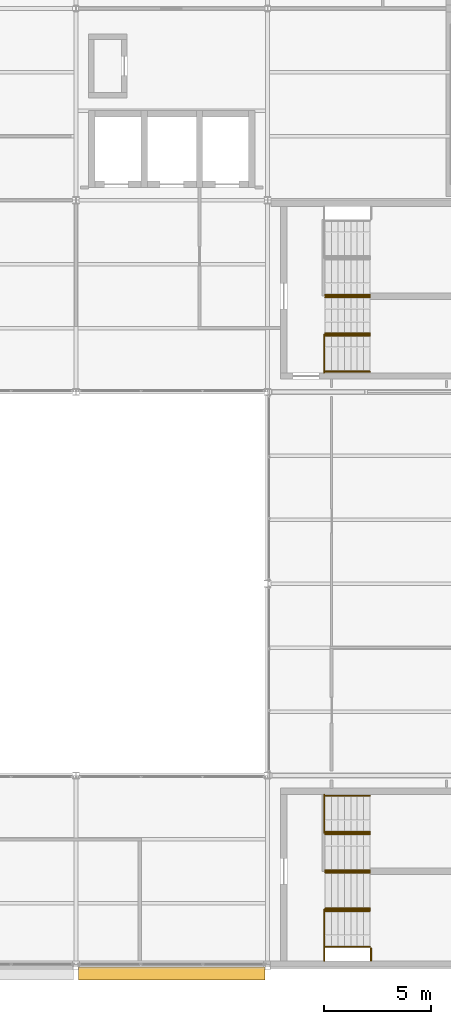
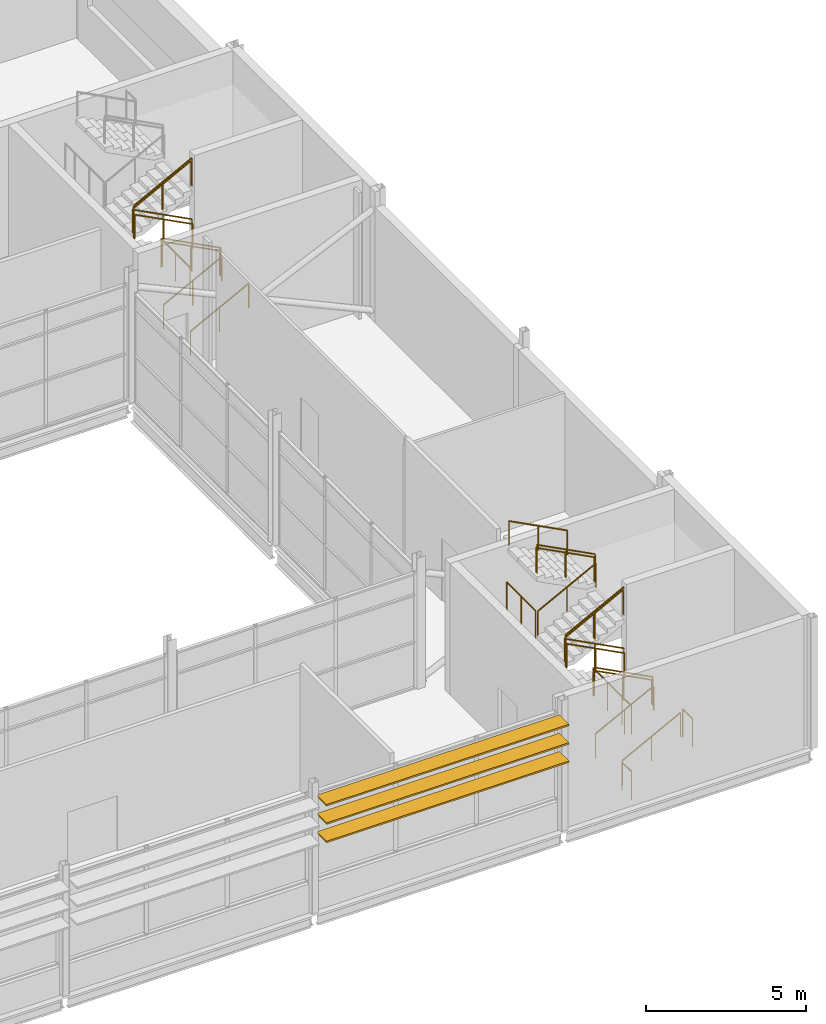
# One storey, part 60 of 61: 26 railings, 3 shading devices.
"""IFC4 building model written with IfcOpenShell, lengths in metres."""

from ifc_helpers import new_model, si_unit, direction, frame, origin, origin_2d, place, context, subcontext, project, spatial, rectangle, circle, extrude, material, layer, layer_set, type_object, element, save


model = new_model("IFC4")

# Units and contexts
model_context = context("Model", 3, precision=1e-05, world=origin(), true_north=direction((0.0, 1.0)))
body_context = subcontext(model_context, "Body", "Model", "MODEL_VIEW")
ifc_project = project(units=[si_unit("LENGTHUNIT", "METRE"), si_unit("AREAUNIT", "SQUARE_METRE"), si_unit("VOLUMEUNIT", "CUBIC_METRE"), si_unit("PLANEANGLEUNIT", "RADIAN"), si_unit("MASSUNIT", "GRAM", prefix="KILO")], contexts=[model_context])

# Site, building, storey
site_placement = place(None, origin())
site = spatial("IfcSite", under=ifc_project, at=site_placement, CompositionType="ELEMENT")
building_placement = place(site_placement, origin())
building = spatial("IfcBuilding", under=site, at=building_placement, Name="Shorebreak Coast Museum", CompositionType="ELEMENT")
storey_placement = place(building_placement, frame((0.0, 0.0, 26.0)))
storey = spatial("IfcBuildingStorey", under=building, at=storey_placement, Name="L04", CompositionType="ELEMENT", Elevation=26.0)

# Shading devices
ifc_material_1 = material(Name="Aluminium", Category="aluminium")
ifc_layer = layer(ifc_material_1, 0.06005859375)
ifc_layer_set = layer_set([ifc_layer], Name="Aluminium")
shading_device_type = type_object("IfcShadingDeviceType", Name="Aluminium louvre blade 60 x 600", PredefinedType="USERDEFINED", material=ifc_layer_set)
for number, where, z_axis, x_axis, name in (
    (1, (103.5, 53.699951171875, 4.337890625), (0.0, 0.0, 1.0), (1.0, 0.0, 0.0), "Aluminium louvre L04 S22"),
    (2, (103.5, 53.699951171875, 3.6376953125), (0.0, 0.0, 1.0), (1.0, 0.0, 0.0), "Aluminium louvre L04 S23"),
    (3, (103.5, 53.699951171875, 2.937744140625), (0.0, 0.0, 1.0), (1.0, 0.0, 0.0), "Aluminium louvre L04 S24"),
):
    element("IfcShadingDevice", number, at=place(storey_placement, frame(where, z_axis=z_axis, x_axis=x_axis)), inside=storey, type_object=shading_device_type, Name=name, ObjectType="LOUVRE", PredefinedType="USERDEFINED", context=body_context, shape_type="SweptSolid", body=[
        extrude(rectangle(XDim=8.75, YDim=0.60009765625, at=origin_2d()), origin(), (0.0, 0.0, 1.0), 0.06005859375),
    ])

# Railings
ifc_material_2 = material(Name="Steel Grade 300", Category="steel")
railing_type_1 = type_object("IfcRailingType", Name="Stair guard 1100", PredefinedType="GUARDRAIL", material=ifc_material_2)
for number, where, name in (
    (4, (110.64990234375, 54.89990234375, 2.5), "Guard ST02 L04 landing mid1"),
    (5, (110.64990234375, 60.300048828125, 2.5), "Guard ST02 L04 landing mid1"),
):
    element("IfcRailing", number, at=place(storey_placement, frame(where)), inside=storey, type_object=railing_type_1, Name=name, PredefinedType="GUARDRAIL", context=body_context, shape_type="SweptSolid", body=[
        extrude(circle(Radius=0.02490234375, at=origin_2d()), frame((0.0, 0.0, 1.0751953125), z_axis=(0.0, 1.0, 0.0), x_axis=(-1.0, 0.0, 0.0)), (0.0, 0.0, 1.0), 1.800048828125),
        extrude(circle(Radius=0.02001953125, at=origin_2d()), origin(), (0.0, 0.0, 1.0), 1.050048828125),
        extrude(circle(Radius=0.02001953125, at=origin_2d()), frame((0.0, 0.89990234375, 0.0)), (0.0, 0.0, 1.0), 1.050048828125),
        extrude(circle(Radius=0.02001953125, at=origin_2d()), frame((0.0, 1.800048828125, 0.0)), (0.0, 0.0, 1.0), 1.050048828125),
    ])
for number, where, name in (
    (6, (110.64990234375, 54.300048828125, 0.0), "Guard ST02 L04 landing strip"),
    (7, (110.64990234375, 54.300048828125, 2.5), "Guard ST02 L04 landing strip"),
    (8, (112.85009765625, 54.300048828125, 1.25), "Guard ST02 L04 landing strip"),
):
    element("IfcRailing", number, at=place(storey_placement, frame(where)), inside=storey, type_object=railing_type_1, Name=name, PredefinedType="GUARDRAIL", context=body_context, shape_type="SweptSolid", body=[
        extrude(circle(Radius=0.02490234375, at=origin_2d()), frame((0.0, 0.0, 1.0751953125), z_axis=(0.0, 1.0, 0.0), x_axis=(-1.0, 0.0, 0.0)), (0.0, 0.0, 1.0), 0.599853515625),
        extrude(circle(Radius=0.02001953125, at=origin_2d()), origin(), (0.0, 0.0, 1.0), 1.050048828125),
        extrude(circle(Radius=0.02001953125, at=origin_2d()), frame((0.0, 0.599853515625, 0.0)), (0.0, 0.0, 1.0), 1.050048828125),
    ])
for number, where, name in (
    (9, (112.800048828125, 56.699951171875, 1.40625), "Guard ST02-L04 well 1"),
    (10, (112.800048828125, 60.300048828125, 3.90625), "Guard ST02-L04 well 2"),
    (11, (112.800048828125, 58.5, 1.40625), "Guard ST02-L04 side 1"),
):
    element("IfcRailing", number, at=place(storey_placement, frame(where)), inside=storey, type_object=railing_type_1, Name=name, PredefinedType="GUARDRAIL", context=body_context, shape_type="SweptSolid", body=[
        extrude(circle(Radius=0.02490234375, at=origin_2d()), frame((0.0, 0.0, 1.0751953125), z_axis=(-0.8869228845, 0.0, 0.461917521804), x_axis=(0.0, -1.0, 0.0)), (0.0, 0.0, 1.0), 2.367919921875),
        extrude(circle(Radius=0.02001953125, at=origin_2d()), origin(), (0.0, 0.0, 1.0), 1.050048828125),
        extrude(circle(Radius=0.02001953125, at=origin_2d()), frame((-1.050048828125, 0.0, 0.546875)), (0.0, 0.0, 1.0), 1.050048828125),
        extrude(circle(Radius=0.02001953125, at=origin_2d()), frame((-2.10009765625, 0.0, 1.09375)), (0.0, 0.0, 1.0), 1.050048828125),
    ])
railing_1_placement = place(storey_placement, frame((110.699951171875, 58.5, 2.65625)))
element("IfcRailing", 12, at=railing_1_placement, inside=storey, type_object=railing_type_1, Name="Guard ST02-L04 side 2", PredefinedType="GUARDRAIL", context=body_context, shape_type="SweptSolid", body=[
    extrude(circle(Radius=0.02490234375, at=origin_2d()), frame((0.0, 0.0, 1.0751953125), z_axis=(0.8869228845, 0.0, 0.461917521804), x_axis=(0.0, 1.0, 0.0)), (0.0, 0.0, 1.0), 2.367919921875),
    extrude(circle(Radius=0.02001953125, at=origin_2d()), origin(), (0.0, 0.0, 1.0), 1.050048828125),
    extrude(circle(Radius=0.02001953125, at=origin_2d()), frame((1.050048828125, 0.0, 0.546875)), (0.0, 0.0, 1.0), 1.050048828125),
    extrude(circle(Radius=0.02001953125, at=origin_2d()), frame((2.10009765625, 0.0, 1.09375)), (0.0, 0.0, 1.0), 1.050048828125),
])
railing_2_placement = place(storey_placement, frame((110.64990234375, 81.89990234375, 2.5)))
element("IfcRailing", 13, at=railing_2_placement, inside=storey, type_object=railing_type_1, Name="Guard ST04 L04 landing mid1", PredefinedType="GUARDRAIL", context=body_context, shape_type="SweptSolid", body=[
    extrude(circle(Radius=0.02490234375, at=origin_2d()), frame((0.0, 0.0, 1.0751953125), z_axis=(0.0, 1.0, 0.0), x_axis=(-1.0, 0.0, 0.0)), (0.0, 0.0, 1.0), 1.800048828125),
    extrude(circle(Radius=0.02001953125, at=origin_2d()), origin(), (0.0, 0.0, 1.0), 1.050048828125),
    extrude(circle(Radius=0.02001953125, at=origin_2d()), frame((0.0, 0.89990234375, 0.0)), (0.0, 0.0, 1.0), 1.050048828125),
    extrude(circle(Radius=0.02001953125, at=origin_2d()), frame((0.0, 1.800048828125, 0.0)), (0.0, 0.0, 1.0), 1.050048828125),
])
for number, where, name in (
    (14, (112.800048828125, 83.699951171875, 1.40625), "Guard ST04-L04 well 1"),
    (15, (112.800048828125, 85.5, 1.40625), "Guard ST04-L04 side 1"),
):
    element("IfcRailing", number, at=place(storey_placement, frame(where)), inside=storey, type_object=railing_type_1, Name=name, PredefinedType="GUARDRAIL", context=body_context, shape_type="SweptSolid", body=[
        extrude(circle(Radius=0.02490234375, at=origin_2d()), frame((0.0, 0.0, 1.0751953125), z_axis=(-0.8869228845, 0.0, 0.461917521804), x_axis=(0.0, -1.0, 0.0)), (0.0, 0.0, 1.0), 2.367919921875),
        extrude(circle(Radius=0.02001953125, at=origin_2d()), origin(), (0.0, 0.0, 1.0), 1.050048828125),
        extrude(circle(Radius=0.02001953125, at=origin_2d()), frame((-1.050048828125, 0.0, 0.546875)), (0.0, 0.0, 1.0), 1.050048828125),
        extrude(circle(Radius=0.02001953125, at=origin_2d()), frame((-2.10009765625, 0.0, 1.09375)), (0.0, 0.0, 1.0), 1.050048828125),
    ])
railing_3_placement = place(storey_placement, frame((110.699951171875, 85.5, 2.65625)))
element("IfcRailing", 16, at=railing_3_placement, inside=storey, type_object=railing_type_1, Name="Guard ST04-L04 side 2", PredefinedType="GUARDRAIL", context=body_context, shape_type="SweptSolid", body=[
    extrude(circle(Radius=0.02490234375, at=origin_2d()), frame((0.0, 0.0, 1.0751953125), z_axis=(0.8869228845, 0.0, 0.461917521804), x_axis=(0.0, 1.0, 0.0)), (0.0, 0.0, 1.0), 2.367919921875),
    extrude(circle(Radius=0.02001953125, at=origin_2d()), origin(), (0.0, 0.0, 1.0), 1.050048828125),
    extrude(circle(Radius=0.02001953125, at=origin_2d()), frame((1.050048828125, 0.0, 0.546875)), (0.0, 0.0, 1.0), 1.050048828125),
    extrude(circle(Radius=0.02001953125, at=origin_2d()), frame((2.10009765625, 0.0, 1.09375)), (0.0, 0.0, 1.0), 1.050048828125),
])
ifc_material_3 = material(Name="Steel Grade 300", Category="steel")
railing_type_2 = type_object("IfcRailingType", Name="Stair handrail 950", PredefinedType="HANDRAIL", material=ifc_material_3)
for number, where, name in (
    (17, (110.699951171875, 54.9599609375, 0.15625), "Handrail ST02-L04 flight 1a"),
    (18, (110.699951171875, 56.639892578125, 0.15625), "Handrail ST02-L04 flight 1b"),
):
    element("IfcRailing", number, at=place(storey_placement, frame(where)), inside=storey, type_object=railing_type_2, Name=name, PredefinedType="HANDRAIL", context=body_context, shape_type="SweptSolid", body=[
        extrude(circle(Radius=0.02490234375, at=origin_2d()), frame((0.0, 0.0, 0.9248046875), z_axis=(0.8869228845, 0.0, 0.461917521804), x_axis=(0.0, 1.0, 0.0)), (0.0, 0.0, 1.0), 2.367919921875),
        extrude(circle(Radius=0.02001953125, at=origin_2d()), origin(), (0.0, 0.0, 1.0), 0.89990234375),
        extrude(circle(Radius=0.02001953125, at=origin_2d()), frame((1.050048828125, 0.0, 0.546875)), (0.0, 0.0, 1.0), 0.89990234375),
        extrude(circle(Radius=0.02001953125, at=origin_2d()), frame((2.10009765625, 0.0, 1.09375)), (0.0, 0.0, 1.0), 0.89990234375),
    ])
for number, where, name in (
    (19, (112.800048828125, 56.760009765625, 1.40625), "Handrail ST02-L04 flight 2a"),
    (20, (112.800048828125, 58.43994140625, 1.40625), "Handrail ST02-L04 flight 2b"),
):
    element("IfcRailing", number, at=place(storey_placement, frame(where)), inside=storey, type_object=railing_type_2, Name=name, PredefinedType="HANDRAIL", context=body_context, shape_type="SweptSolid", body=[
        extrude(circle(Radius=0.02490234375, at=origin_2d()), frame((0.0, 0.0, 0.9248046875), z_axis=(-0.8869228845, 0.0, 0.461917521804), x_axis=(0.0, -1.0, 0.0)), (0.0, 0.0, 1.0), 2.367919921875),
        extrude(circle(Radius=0.02001953125, at=origin_2d()), origin(), (0.0, 0.0, 1.0), 0.89990234375),
        extrude(circle(Radius=0.02001953125, at=origin_2d()), frame((-1.050048828125, 0.0, 0.546875)), (0.0, 0.0, 1.0), 0.89990234375),
        extrude(circle(Radius=0.02001953125, at=origin_2d()), frame((-2.10009765625, 0.0, 1.09375)), (0.0, 0.0, 1.0), 0.89990234375),
    ])
for number, where, name in (
    (21, (110.699951171875, 58.56005859375, 2.65625), "Handrail ST02-L04 flight 3a"),
    (22, (110.699951171875, 60.239990234375, 2.65625), "Handrail ST02-L04 flight 3b"),
):
    element("IfcRailing", number, at=place(storey_placement, frame(where)), inside=storey, type_object=railing_type_2, Name=name, PredefinedType="HANDRAIL", context=body_context, shape_type="SweptSolid", body=[
        extrude(circle(Radius=0.02490234375, at=origin_2d()), frame((0.0, 0.0, 0.9248046875), z_axis=(0.8869228845, 0.0, 0.461917521804), x_axis=(0.0, 1.0, 0.0)), (0.0, 0.0, 1.0), 2.367919921875),
        extrude(circle(Radius=0.02001953125, at=origin_2d()), origin(), (0.0, 0.0, 1.0), 0.89990234375),
        extrude(circle(Radius=0.02001953125, at=origin_2d()), frame((1.050048828125, 0.0, 0.546875)), (0.0, 0.0, 1.0), 0.89990234375),
        extrude(circle(Radius=0.02001953125, at=origin_2d()), frame((2.10009765625, 0.0, 1.09375)), (0.0, 0.0, 1.0), 0.89990234375),
    ])
for number, where, name in (
    (23, (112.800048828125, 60.360107421875, 3.90625), "Handrail ST02-L04 flight 4a"),
    (24, (112.800048828125, 62.0400390625, 3.90625), "Handrail ST02-L04 flight 4b"),
):
    element("IfcRailing", number, at=place(storey_placement, frame(where)), inside=storey, type_object=railing_type_2, Name=name, PredefinedType="HANDRAIL", context=body_context, shape_type="SweptSolid", body=[
        extrude(circle(Radius=0.02490234375, at=origin_2d()), frame((0.0, 0.0, 0.9248046875), z_axis=(-0.8869228845, 0.0, 0.461917521804), x_axis=(0.0, -1.0, 0.0)), (0.0, 0.0, 1.0), 2.367919921875),
        extrude(circle(Radius=0.02001953125, at=origin_2d()), origin(), (0.0, 0.0, 1.0), 0.89990234375),
        extrude(circle(Radius=0.02001953125, at=origin_2d()), frame((-1.050048828125, 0.0, 0.546875)), (0.0, 0.0, 1.0), 0.89990234375),
        extrude(circle(Radius=0.02001953125, at=origin_2d()), frame((-2.10009765625, 0.0, 1.09375)), (0.0, 0.0, 1.0), 0.89990234375),
    ])
for number, where, name in (
    (25, (110.699951171875, 81.9599609375, 0.15625), "Handrail ST04-L04 flight 1a"),
    (26, (110.699951171875, 83.639892578125, 0.15625), "Handrail ST04-L04 flight 1b"),
):
    element("IfcRailing", number, at=place(storey_placement, frame(where)), inside=storey, type_object=railing_type_2, Name=name, PredefinedType="HANDRAIL", context=body_context, shape_type="SweptSolid", body=[
        extrude(circle(Radius=0.02490234375, at=origin_2d()), frame((0.0, 0.0, 0.9248046875), z_axis=(0.8869228845, 0.0, 0.461917521804), x_axis=(0.0, 1.0, 0.0)), (0.0, 0.0, 1.0), 2.367919921875),
        extrude(circle(Radius=0.02001953125, at=origin_2d()), origin(), (0.0, 0.0, 1.0), 0.89990234375),
        extrude(circle(Radius=0.02001953125, at=origin_2d()), frame((1.050048828125, 0.0, 0.546875)), (0.0, 0.0, 1.0), 0.89990234375),
        extrude(circle(Radius=0.02001953125, at=origin_2d()), frame((2.10009765625, 0.0, 1.09375)), (0.0, 0.0, 1.0), 0.89990234375),
    ])
for number, where, name in (
    (27, (112.800048828125, 83.760009765625, 1.40625), "Handrail ST04-L04 flight 2a"),
    (28, (112.800048828125, 85.43994140625, 1.40625), "Handrail ST04-L04 flight 2b"),
):
    element("IfcRailing", number, at=place(storey_placement, frame(where)), inside=storey, type_object=railing_type_2, Name=name, PredefinedType="HANDRAIL", context=body_context, shape_type="SweptSolid", body=[
        extrude(circle(Radius=0.02490234375, at=origin_2d()), frame((0.0, 0.0, 0.9248046875), z_axis=(-0.8869228845, 0.0, 0.461917521804), x_axis=(0.0, -1.0, 0.0)), (0.0, 0.0, 1.0), 2.367919921875),
        extrude(circle(Radius=0.02001953125, at=origin_2d()), origin(), (0.0, 0.0, 1.0), 0.89990234375),
        extrude(circle(Radius=0.02001953125, at=origin_2d()), frame((-1.050048828125, 0.0, 0.546875)), (0.0, 0.0, 1.0), 0.89990234375),
        extrude(circle(Radius=0.02001953125, at=origin_2d()), frame((-2.10009765625, 0.0, 1.09375)), (0.0, 0.0, 1.0), 0.89990234375),
    ])
railing_4_placement = place(storey_placement, frame((110.699951171875, 85.56005859375, 2.65625)))
element("IfcRailing", 29, at=railing_4_placement, inside=storey, type_object=railing_type_2, Name="Handrail ST04-L04 flight 3a", PredefinedType="HANDRAIL", context=body_context, shape_type="SweptSolid", body=[
    extrude(circle(Radius=0.02490234375, at=origin_2d()), frame((0.0, 0.0, 0.9248046875), z_axis=(0.8869228845, 0.0, 0.461917521804), x_axis=(0.0, 1.0, 0.0)), (0.0, 0.0, 1.0), 2.367919921875),
    extrude(circle(Radius=0.02001953125, at=origin_2d()), origin(), (0.0, 0.0, 1.0), 0.89990234375),
    extrude(circle(Radius=0.02001953125, at=origin_2d()), frame((1.050048828125, 0.0, 0.546875)), (0.0, 0.0, 1.0), 0.89990234375),
    extrude(circle(Radius=0.02001953125, at=origin_2d()), frame((2.10009765625, 0.0, 1.09375)), (0.0, 0.0, 1.0), 0.89990234375),
])

save(model, "model.ifc")
